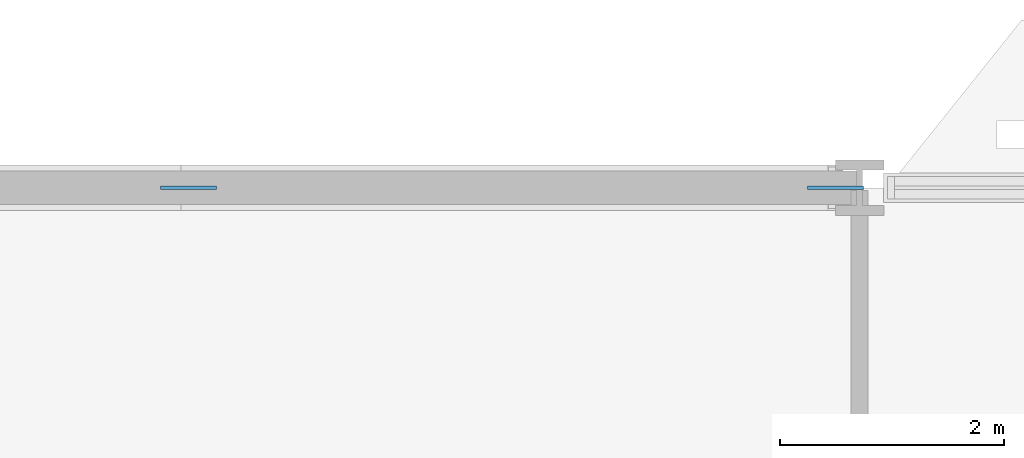
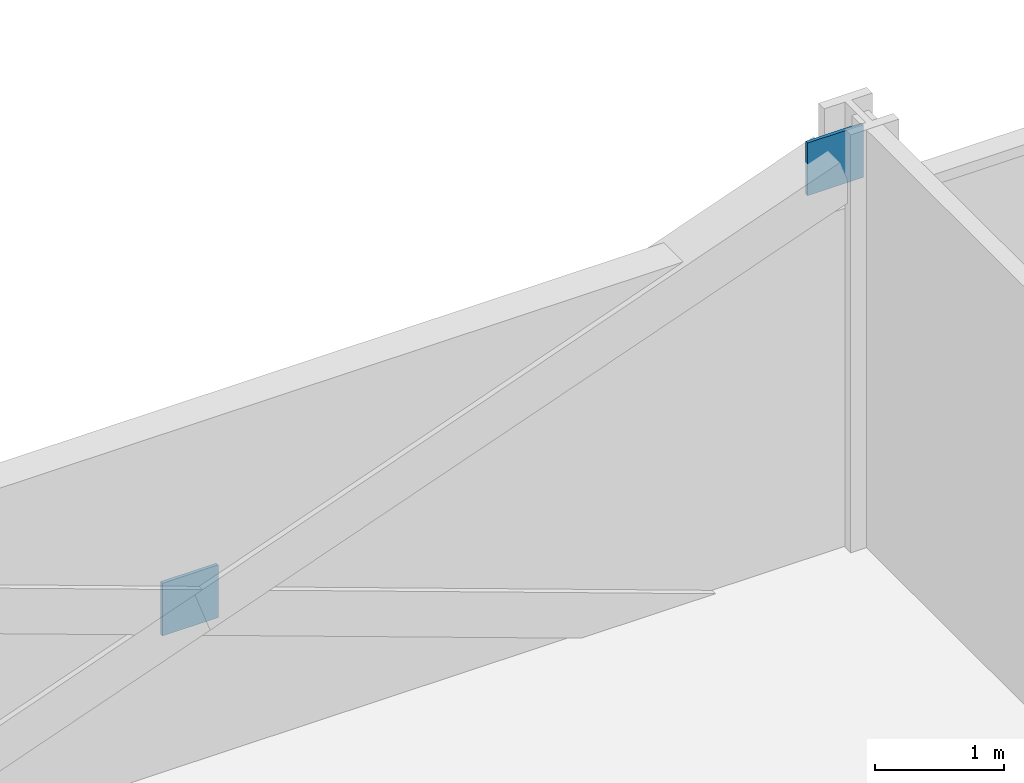
# One storey, part 19 of 28: 2 discrete accessories.
"""IFC4 building model written with IfcOpenShell, lengths in metres."""

from ifc_helpers import new_model, si_unit, direction, frame, origin, origin_2d, place, context, subcontext, project, spatial, rectangle, extrude, material, layer, layer_set, type_object, element, save


model = new_model("IFC4")

# Units and contexts
model_context = context("Model", 3, precision=1e-05, world=origin(), true_north=direction((0.0, 1.0)))
body_context = subcontext(model_context, "Body", "Model", "MODEL_VIEW")
ifc_project = project(units=[si_unit("LENGTHUNIT", "METRE"), si_unit("AREAUNIT", "SQUARE_METRE"), si_unit("VOLUMEUNIT", "CUBIC_METRE"), si_unit("PLANEANGLEUNIT", "RADIAN"), si_unit("MASSUNIT", "GRAM", prefix="KILO")], contexts=[model_context])

# Site, building, storey
site_placement = place(None, origin())
site = spatial("IfcSite", under=ifc_project, at=site_placement, CompositionType="ELEMENT")
building_placement = place(site_placement, origin())
building = spatial("IfcBuilding", under=site, at=building_placement, Name="Mahtab Terrace Research Tower", CompositionType="ELEMENT")
storey_placement = place(building_placement, frame((0.0, 0.0, 33.0)))
storey = spatial("IfcBuildingStorey", under=building, at=storey_placement, Name="L07", CompositionType="ELEMENT", Elevation=33.0)

# Discrete accessories
ifc_material = material(Name="Steel ASTM A992 Gr 50", Category="steel")
ifc_layer = layer(ifc_material, 0.030029296875)
ifc_layer_set = layer_set([ifc_layer], Name="Gusset plate 500x500x30")
discrete_accessory_type = type_object("IfcDiscreteAccessoryType", Name="Gusset plate 500x500x30", PredefinedType="USERDEFINED", material=ifc_layer_set)
for number, where, z_axis, x_axis, name in (
    (1, (0.0, 23.0, 1.181396484375), (0.0, 0.0, 1.0), (1.0, 0.0, 0.0), "Gusset plate"),
    (2, (5.7841796875, 23.0, 3.32958984375), (0.0, 0.0, 1.0), (1.0, 0.0, 0.0), "Gusset plate"),
):
    element("IfcDiscreteAccessory", number, at=place(storey_placement, frame(where, z_axis=z_axis, x_axis=x_axis)), inside=storey, type_object=discrete_accessory_type, Name=name, ObjectType="GUSSET PLATE", PredefinedType="USERDEFINED", context=body_context, shape_type="SweptSolid", body=[
        extrude(rectangle(XDim=0.5, YDim=0.030029296875, at=origin_2d()), origin(), (0.0, 0.0, 1.0), 0.5),
    ])

save(model, "model.ifc")
